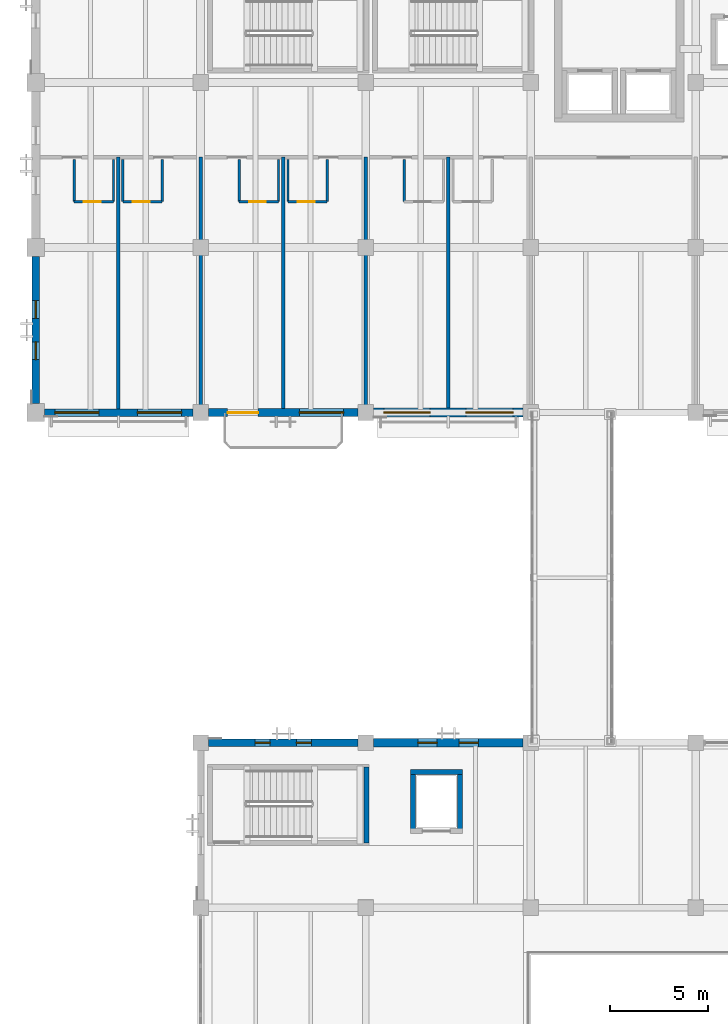
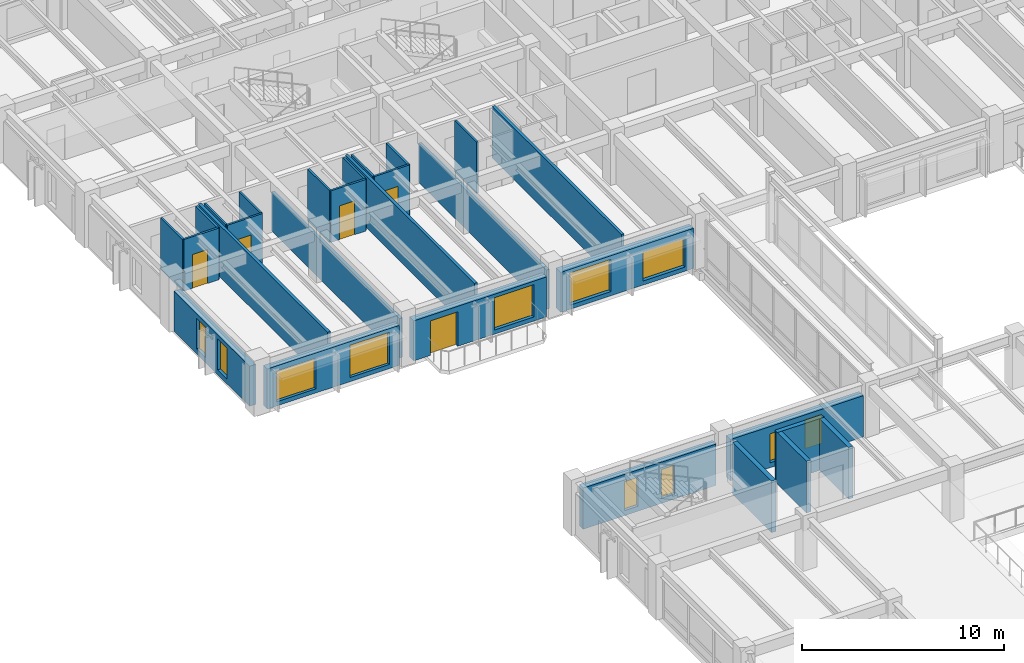
# One storey, part 83 of 123: 28 walls, 11 windows, 5 doors, 16 openings.
"""IFC4 building model written with IfcOpenShell, lengths in metres."""

from ifc_helpers import new_model, si_unit, direction, frame, frame_2d, origin, place, context, subcontext, project, spatial, rectangle, extrude, material, layer, layer_set, type_object, element, fill, save


model = new_model("IFC4")

# Units and contexts
model_context = context("Model", 3, precision=1e-05, world=origin(), true_north=direction((0.0, 1.0)))
body_context = subcontext(model_context, "Body", "Model", "MODEL_VIEW")
ifc_project = project(units=[si_unit("LENGTHUNIT", "METRE"), si_unit("AREAUNIT", "SQUARE_METRE"), si_unit("VOLUMEUNIT", "CUBIC_METRE"), si_unit("PLANEANGLEUNIT", "RADIAN"), si_unit("MASSUNIT", "GRAM", prefix="KILO")], contexts=[model_context])

# Site, building, storey
site_placement = place(None, origin())
site = spatial("IfcSite", under=ifc_project, at=site_placement, CompositionType="ELEMENT")
building_placement = place(site_placement, origin())
building = spatial("IfcBuilding", under=site, at=building_placement, Name="Cumbredor Promenade Congress Hotel", CompositionType="ELEMENT")
storey_placement = place(building_placement, frame((0.0, 0.0, 11.760009765625)))
storey = spatial("IfcBuildingStorey", under=building, at=storey_placement, Name="L03", CompositionType="ELEMENT", Elevation=11.760009765625)

# Wall, opening, door
ifc_material_1 = material(Name="Moisture-resistant gypsum board on steel studs", Category="steel")
ifc_layer_1 = layer(ifc_material_1, 0.114990234375, Name="Moisture-resistant gypsum board on steel studs", Category="steel")
ifc_layer_set_1 = layer_set([ifc_layer_1], Name="Moisture-resistant gypsum board on steel studs")
wall_type_1 = type_object("IfcWallType", Name="WL-BATH-115", PredefinedType="PARTITIONING", material=ifc_layer_set_1)
wall_1_placement = place(storey_placement, frame((1.9599609375, 94.72998046875, 0.0), z_axis=(0.0, 0.0, 1.0), x_axis=(1.0, 0.0, 0.0)))
wall_1 = element("IfcWall", 1, at=wall_1_placement, inside=storey, type_object=wall_type_1, Name="L03 Interior Partition W-L03-BH-0371", PredefinedType="PARTITIONING", context=body_context, shape_type="SweptSolid", body=[
    extrude(rectangle(XDim=2.0, YDim=0.114990234375, at=frame_2d((1.0, 0.0))), origin(), (0.0, 0.0, 1.0), 3.119873046875),
])
opening_1_placement = place(wall_1_placement, frame((0.5, 0.0, 0.0)))
opening_1 = element("IfcOpeningElement", 2, at=opening_1_placement, cuts=wall_1, Name="Opening ID-01", PredefinedType="OPENING", context=body_context, shape_type="SweptSolid", body=[
    extrude(rectangle(XDim=0.860107421875, YDim=2.050048828125, at=frame_2d((0.43017578125, 1.02490234375))), frame((0.0, 0.0673828125, 0.0), z_axis=(0.0, -1.0, 0.0), x_axis=(1.0, 0.0, 0.0)), (0.0, 0.0, 1.0), 0.135009765625),
])
ifc_material_2 = material(Name="Kiln-dried tropical hardwood", Category="wood")
door_type_1 = type_object("IfcDoorType", Name="DR-BATH-860", OperationType="NOTDEFINED", PredefinedType="DOOR", material=ifc_material_2)
door_1_placement = place(opening_1_placement, origin())
door_1 = element("IfcDoor", 3, at=door_1_placement, inside=storey, type_object=door_type_1, Name="L03 Interior Door W-L03-BH-0371-01", OperationType="SINGLE_SWING_LEFT", OverallHeight=2.050048828125, OverallWidth=0.860107421875, PredefinedType="DOOR", context=body_context, shape_type="SweptSolid", body=[
    extrude(rectangle(XDim=0.860107421875, YDim=2.050048828125, at=frame_2d((0.43017578125, 1.02490234375))), frame((0.0, 0.02490234375, 0.0), z_axis=(0.0, -1.0, 0.0), x_axis=(1.0, 0.0, 0.0)), (0.0, 0.0, 1.0), 0.050048828125),
])
fill(opening_1, door_1)

# Walls
for number, where, z_axis, x_axis, name in (
    (4, (1.9599609375, 94.72998046875, 0.0), (0.0, 0.0, 1.0), (0.0, 1.0, 0.0), "L03 Interior Partition W-L03-BV1-0371"),
    (5, (3.9599609375, 94.72998046875, 0.0), (0.0, 0.0, 1.0), (0.0, 1.0, 0.0), "L03 Interior Partition W-L03-BV2-0371"),
):
    element("IfcWall", number, at=place(storey_placement, frame(where, z_axis=z_axis, x_axis=x_axis)), inside=storey, type_object=wall_type_1, Name=name, PredefinedType="PARTITIONING", context=body_context, shape_type="SweptSolid", body=[
        extrude(rectangle(XDim=2.14990234375, YDim=0.114990234375, at=frame_2d((1.074951171875, 0.0))), origin(), (0.0, 0.0, 1.0), 3.119873046875),
    ])

# Wall, opening, door
wall_2_placement = place(storey_placement, frame((4.43994140625, 94.72998046875, 0.0), z_axis=(0.0, 0.0, 1.0), x_axis=(1.0, 0.0, 0.0)))
wall_2 = element("IfcWall", 6, at=wall_2_placement, inside=storey, type_object=wall_type_1, Name="L03 Interior Partition W-L03-BH-0372", PredefinedType="PARTITIONING", context=body_context, shape_type="SweptSolid", body=[
    extrude(rectangle(XDim=2.0, YDim=0.114990234375, at=frame_2d((1.0, 0.0))), origin(), (0.0, 0.0, 1.0), 3.119873046875),
])
opening_2_placement = place(wall_2_placement, frame((0.5, 0.0, 0.0)))
opening_2 = element("IfcOpeningElement", 7, at=opening_2_placement, cuts=wall_2, Name="Opening ID-01", PredefinedType="OPENING", context=body_context, shape_type="SweptSolid", body=[
    extrude(rectangle(XDim=0.860107421875, YDim=2.050048828125, at=frame_2d((0.43017578125, 1.02490234375))), frame((0.0, 0.0673828125, 0.0), z_axis=(0.0, -1.0, 0.0), x_axis=(1.0, 0.0, 0.0)), (0.0, 0.0, 1.0), 0.135009765625),
])
door_2_placement = place(opening_2_placement, origin())
door_2 = element("IfcDoor", 8, at=door_2_placement, inside=storey, type_object=door_type_1, Name="L03 Interior Door W-L03-BH-0372-01", OperationType="SINGLE_SWING_RIGHT", OverallHeight=2.050048828125, OverallWidth=0.860107421875, PredefinedType="DOOR", context=body_context, shape_type="SweptSolid", body=[
    extrude(rectangle(XDim=0.860107421875, YDim=2.050048828125, at=frame_2d((0.43017578125, 1.02490234375))), frame((0.0, 0.02490234375, 0.0), z_axis=(0.0, -1.0, 0.0), x_axis=(1.0, 0.0, 0.0)), (0.0, 0.0, 1.0), 0.050048828125),
])
fill(opening_2, door_2)

# Walls
for number, where, z_axis, x_axis, name in (
    (9, (4.43994140625, 94.72998046875, 0.0), (0.0, 0.0, 1.0), (0.0, 1.0, 0.0), "L03 Interior Partition W-L03-BV1-0372"),
    (10, (6.43994140625, 94.72998046875, 0.0), (0.0, 0.0, 1.0), (0.0, 1.0, 0.0), "L03 Interior Partition W-L03-BV2-0372"),
):
    element("IfcWall", number, at=place(storey_placement, frame(where, z_axis=z_axis, x_axis=x_axis)), inside=storey, type_object=wall_type_1, Name=name, PredefinedType="PARTITIONING", context=body_context, shape_type="SweptSolid", body=[
        extrude(rectangle(XDim=2.14990234375, YDim=0.114990234375, at=frame_2d((1.074951171875, 0.0))), origin(), (0.0, 0.0, 1.0), 3.119873046875),
    ])

# Wall, opening, door
wall_3_placement = place(storey_placement, frame((10.360107421875, 94.72998046875, 0.0), z_axis=(0.0, 0.0, 1.0), x_axis=(1.0, 0.0, 0.0)))
wall_3 = element("IfcWall", 11, at=wall_3_placement, inside=storey, type_object=wall_type_1, Name="L03 Interior Partition W-L03-BH-0373", PredefinedType="PARTITIONING", context=body_context, shape_type="SweptSolid", body=[
    extrude(rectangle(XDim=2.0, YDim=0.114990234375, at=frame_2d((1.0, 0.0))), origin(), (0.0, 0.0, 1.0), 3.119873046875),
])
opening_3_placement = place(wall_3_placement, frame((0.5, 0.0, 0.0)))
opening_3 = element("IfcOpeningElement", 12, at=opening_3_placement, cuts=wall_3, Name="Opening ID-01", PredefinedType="OPENING", context=body_context, shape_type="SweptSolid", body=[
    extrude(rectangle(XDim=0.860107421875, YDim=2.050048828125, at=frame_2d((0.43017578125, 1.02490234375))), frame((0.0, 0.0673828125, 0.0), z_axis=(0.0, -1.0, 0.0), x_axis=(1.0, 0.0, 0.0)), (0.0, 0.0, 1.0), 0.135009765625),
])
door_3_placement = place(opening_3_placement, origin())
door_3 = element("IfcDoor", 13, at=door_3_placement, inside=storey, type_object=door_type_1, Name="L03 Interior Door W-L03-BH-0373-01", OperationType="SINGLE_SWING_LEFT", OverallHeight=2.050048828125, OverallWidth=0.860107421875, PredefinedType="DOOR", context=body_context, shape_type="SweptSolid", body=[
    extrude(rectangle(XDim=0.860107421875, YDim=2.050048828125, at=frame_2d((0.43017578125, 1.02490234375))), frame((0.0, 0.02490234375, 0.0), z_axis=(0.0, -1.0, 0.0), x_axis=(1.0, 0.0, 0.0)), (0.0, 0.0, 1.0), 0.050048828125),
])
fill(opening_3, door_3)

# Walls
for number, where, z_axis, x_axis, name in (
    (14, (10.360107421875, 94.72998046875, 0.0), (0.0, 0.0, 1.0), (0.0, 1.0, 0.0), "L03 Interior Partition W-L03-BV1-0373"),
    (15, (12.360107421875, 94.72998046875, 0.0), (0.0, 0.0, 1.0), (0.0, 1.0, 0.0), "L03 Interior Partition W-L03-BV2-0373"),
):
    element("IfcWall", number, at=place(storey_placement, frame(where, z_axis=z_axis, x_axis=x_axis)), inside=storey, type_object=wall_type_1, Name=name, PredefinedType="PARTITIONING", context=body_context, shape_type="SweptSolid", body=[
        extrude(rectangle(XDim=2.14990234375, YDim=0.114990234375, at=frame_2d((1.074951171875, 0.0))), origin(), (0.0, 0.0, 1.0), 3.119873046875),
    ])

# Wall, opening, door
wall_4_placement = place(storey_placement, frame((12.840087890625, 94.72998046875, 0.0), z_axis=(0.0, 0.0, 1.0), x_axis=(1.0, 0.0, 0.0)))
wall_4 = element("IfcWall", 16, at=wall_4_placement, inside=storey, type_object=wall_type_1, Name="L03 Interior Partition W-L03-BH-0374", PredefinedType="PARTITIONING", context=body_context, shape_type="SweptSolid", body=[
    extrude(rectangle(XDim=2.0, YDim=0.114990234375, at=frame_2d((1.0, 0.0))), origin(), (0.0, 0.0, 1.0), 3.119873046875),
])
opening_4_placement = place(wall_4_placement, frame((0.5, 0.0, 0.0)))
opening_4 = element("IfcOpeningElement", 17, at=opening_4_placement, cuts=wall_4, Name="Opening ID-01", PredefinedType="OPENING", context=body_context, shape_type="SweptSolid", body=[
    extrude(rectangle(XDim=0.860107421875, YDim=2.050048828125, at=frame_2d((0.43017578125, 1.02490234375))), frame((0.0, 0.0673828125, 0.0), z_axis=(0.0, -1.0, 0.0), x_axis=(1.0, 0.0, 0.0)), (0.0, 0.0, 1.0), 0.135009765625),
])
door_4_placement = place(opening_4_placement, origin())
door_4 = element("IfcDoor", 18, at=door_4_placement, inside=storey, type_object=door_type_1, Name="L03 Interior Door W-L03-BH-0374-01", OperationType="SINGLE_SWING_RIGHT", OverallHeight=2.050048828125, OverallWidth=0.860107421875, PredefinedType="DOOR", context=body_context, shape_type="SweptSolid", body=[
    extrude(rectangle(XDim=0.860107421875, YDim=2.050048828125, at=frame_2d((0.43017578125, 1.02490234375))), frame((0.0, 0.02490234375, 0.0), z_axis=(0.0, -1.0, 0.0), x_axis=(1.0, 0.0, 0.0)), (0.0, 0.0, 1.0), 0.050048828125),
])
fill(opening_4, door_4)

# Walls
for number, where, z_axis, x_axis, name in (
    (19, (12.840087890625, 94.72998046875, 0.0), (0.0, 0.0, 1.0), (0.0, 1.0, 0.0), "L03 Interior Partition W-L03-BV1-0374"),
    (20, (14.840087890625, 94.72998046875, 0.0), (0.0, 0.0, 1.0), (0.0, 1.0, 0.0), "L03 Interior Partition W-L03-BV2-0374"),
    (21, (18.760009765625, 94.72998046875, 0.0), (0.0, 0.0, 1.0), (0.0, 1.0, 0.0), "L03 Interior Partition W-L03-BV1-0375"),
):
    element("IfcWall", number, at=place(storey_placement, frame(where, z_axis=z_axis, x_axis=x_axis)), inside=storey, type_object=wall_type_1, Name=name, PredefinedType="PARTITIONING", context=body_context, shape_type="SweptSolid", body=[
        extrude(rectangle(XDim=2.14990234375, YDim=0.114990234375, at=frame_2d((1.074951171875, 0.0))), origin(), (0.0, 0.0, 1.0), 3.119873046875),
    ])

# Wall, openings, windows
ifc_material_3 = material(Name="Concrete C40/50", Category="concrete")
ifc_layer_2 = layer(ifc_material_3, 0.3798828125, Name="Concrete C40/50", Category="concrete")
ifc_layer_set_2 = layer_set([ifc_layer_2], Name="Concrete C40/50")
wall_type_2 = type_object("IfcWallType", Name="WL-EXT-380", PredefinedType="SOLIDWALL", material=ifc_layer_set_2)
wall_5_placement = place(storey_placement, frame((8.801025390625, 67.199951171875, 0.0), z_axis=(0.0, 0.0, 1.0), x_axis=(1.0, 0.0, 0.0)))
wall_5 = element("IfcWall", 22, at=wall_5_placement, inside=storey, type_object=wall_type_2, Name="L03 Plenary Congress Hall North Envelope Wall 1", PredefinedType="SOLIDWALL", context=body_context, shape_type="SweptSolid", body=[
    extrude(rectangle(XDim=7.597900390625, YDim=0.3798828125, at=frame_2d((3.798828125, 0.0))), origin(), (0.0, 0.0, 1.0), 2.493896484375),
])
opening_5_placement = place(wall_5_placement, frame((2.368896484375, 0.0, 0.300048828125)))
opening_5 = element("IfcOpeningElement", 23, at=opening_5_placement, cuts=wall_5, Name="Opening WN-61", PredefinedType="OPENING", context=body_context, shape_type="SweptSolid", body=[
    extrude(rectangle(XDim=0.760009765625, YDim=1.75, at=frame_2d((0.3798828125, 0.875))), frame((0.0, 0.199951171875, 0.0), z_axis=(0.0, -1.0, 0.0), x_axis=(1.0, 0.0, 0.0)), (0.0, 0.0, 1.0), 0.39990234375),
])
opening_6_placement = place(wall_5_placement, frame((4.468994140625, 0.0, 0.300048828125)))
opening_6 = element("IfcOpeningElement", 24, at=opening_6_placement, cuts=wall_5, Name="Opening WN-61", PredefinedType="OPENING", context=body_context, shape_type="SweptSolid", body=[
    extrude(rectangle(XDim=0.760009765625, YDim=1.75, at=frame_2d((0.3798828125, 0.875))), frame((0.0, 0.199951171875, 0.0), z_axis=(0.0, -1.0, 0.0), x_axis=(1.0, 0.0, 0.0)), (0.0, 0.0, 1.0), 0.39990234375),
])
ifc_material_4 = material(Name="Thermally broken anodized aluminium and low-E glass", Category="aluminium")
window_type_1 = type_object("IfcWindowType", Name="Vertical Slot Window WN-61 760x1750", PartitioningType="SINGLE_PANEL", PredefinedType="WINDOW", material=ifc_material_4)
window_1_placement = place(opening_5_placement, origin())
window_1 = element("IfcWindow", 25, at=window_1_placement, inside=storey, type_object=window_type_1, Name="L03 Vertical Slot Window 0346", OverallHeight=1.75, OverallWidth=0.760009765625, PartitioningType="SINGLE_PANEL", PredefinedType="WINDOW", context=body_context, shape_type="SweptSolid", body=[
    extrude(rectangle(XDim=0.760009765625, YDim=1.75, at=frame_2d((0.3798828125, 0.875))), frame((0.0, 0.030029296875, 0.0), z_axis=(0.0, -1.0, 0.0), x_axis=(1.0, 0.0, 0.0)), (0.0, 0.0, 1.0), 0.06005859375),
])
fill(opening_5, window_1)
window_2_placement = place(opening_6_placement, origin())
window_2 = element("IfcWindow", 26, at=window_2_placement, inside=storey, type_object=window_type_1, Name="L03 Vertical Slot Window 0347", OverallHeight=1.75, OverallWidth=0.760009765625, PartitioningType="SINGLE_PANEL", PredefinedType="WINDOW", context=body_context, shape_type="SweptSolid", body=[
    extrude(rectangle(XDim=0.760009765625, YDim=1.75, at=frame_2d((0.3798828125, 0.875))), frame((0.0, 0.030029296875, 0.0), z_axis=(0.0, -1.0, 0.0), x_axis=(1.0, 0.0, 0.0)), (0.0, 0.0, 1.0), 0.06005859375),
])
fill(opening_6, window_2)

wall_6_placement = place(storey_placement, frame((0.450927734375, 84.0, 0.0), z_axis=(0.0, 0.0, 1.0), x_axis=(1.0, 0.0, 0.0)))
wall_6 = element("IfcWall", 27, at=wall_6_placement, inside=storey, type_object=wall_type_2, Name="L03 Stepped Congress Hotel Wing South Envelope Wall 1", PredefinedType="SOLIDWALL", context=body_context, shape_type="SweptSolid", body=[
    extrude(rectangle(XDim=7.548095703125, YDim=0.3798828125, at=frame_2d((3.77392578125, 0.0))), origin(), (0.0, 0.0, 1.0), 2.4140625),
])
opening_7_placement = place(wall_6_placement, frame((0.52392578125, 0.0, 0.25)))
opening_7 = element("IfcOpeningElement", 28, at=opening_7_placement, cuts=wall_6, Name="Opening WN-01", PredefinedType="OPENING", context=body_context, shape_type="SweptSolid", body=[
    extrude(rectangle(XDim=2.25, YDim=1.85009765625, at=frame_2d((1.125, 0.925048828125))), frame((0.0, 0.199951171875, 0.0), z_axis=(0.0, -1.0, 0.0), x_axis=(1.0, 0.0, 0.0)), (0.0, 0.0, 1.0), 0.39990234375),
])
opening_8_placement = place(wall_6_placement, frame((4.72412109375, 0.0, 0.25)))
opening_8 = element("IfcOpeningElement", 29, at=opening_8_placement, cuts=wall_6, Name="Opening WN-07", PredefinedType="OPENING", context=body_context, shape_type="SweptSolid", body=[
    extrude(rectangle(XDim=2.25, YDim=1.949951171875, at=frame_2d((1.125, 0.97509765625))), frame((0.0, 0.199951171875, 0.0), z_axis=(0.0, -1.0, 0.0), x_axis=(1.0, 0.0, 0.0)), (0.0, 0.0, 1.0), 0.39990234375),
])
window_type_2 = type_object("IfcWindowType", Name="Hospitality Floor-to-Ceiling Window WN-01 2250x1850", PartitioningType="DOUBLE_PANEL_VERTICAL", PredefinedType="WINDOW", material=ifc_material_4)
window_3_placement = place(opening_7_placement, origin())
window_3 = element("IfcWindow", 30, at=window_3_placement, inside=storey, type_object=window_type_2, Name="L03 Wide Hospitality Window 0402", OverallHeight=1.85009765625, OverallWidth=2.25, PartitioningType="DOUBLE_PANEL_VERTICAL", PredefinedType="WINDOW", context=body_context, shape_type="SweptSolid", body=[
    extrude(rectangle(XDim=2.25, YDim=1.85009765625, at=frame_2d((1.125, 0.925048828125))), frame((0.0, 0.030029296875, 0.0), z_axis=(0.0, -1.0, 0.0), x_axis=(1.0, 0.0, 0.0)), (0.0, 0.0, 1.0), 0.06005859375),
])
fill(opening_7, window_3)
window_type_3 = type_object("IfcWindowType", Name="Hospitality Floor-to-Ceiling Window WN-07 2250x1950", PartitioningType="DOUBLE_PANEL_VERTICAL", PredefinedType="WINDOW", material=ifc_material_4)
window_4_placement = place(opening_8_placement, origin())
window_4 = element("IfcWindow", 31, at=window_4_placement, inside=storey, type_object=window_type_3, Name="L03 Wide Hospitality Window 0403", OverallHeight=1.949951171875, OverallWidth=2.25, PartitioningType="DOUBLE_PANEL_VERTICAL", PredefinedType="WINDOW", context=body_context, shape_type="SweptSolid", body=[
    extrude(rectangle(XDim=2.25, YDim=1.949951171875, at=frame_2d((1.125, 0.97509765625))), frame((0.0, 0.030029296875, 0.0), z_axis=(0.0, -1.0, 0.0), x_axis=(1.0, 0.0, 0.0)), (0.0, 0.0, 1.0), 0.06005859375),
])
fill(opening_8, window_4)

wall_7_placement = place(storey_placement, frame((0.0, 84.450927734375, 0.0), z_axis=(0.0, 0.0, 1.0), x_axis=(0.0, 1.0, 0.0)))
wall_7 = element("IfcWall", 32, at=wall_7_placement, inside=storey, type_object=wall_type_2, Name="L03 Stepped Congress Hotel Wing West Envelope Wall 1", PredefinedType="SOLIDWALL", context=body_context, shape_type="SweptSolid", body=[
    extrude(rectangle(XDim=7.498046875, YDim=0.3798828125, at=frame_2d((3.7490234375, 0.0))), origin(), (0.0, 0.0, 1.0), 2.4140625),
])
opening_9_placement = place(wall_7_placement, frame((2.2490234375, 0.0, 0.300048828125)))
opening_9 = element("IfcOpeningElement", 33, at=opening_9_placement, cuts=wall_7, Name="Opening WN-48", PredefinedType="OPENING", context=body_context, shape_type="SweptSolid", body=[
    extrude(rectangle(XDim=0.89990234375, YDim=1.85009765625, at=frame_2d((0.449951171875, 0.925048828125))), frame((0.0, 0.199951171875, 0.0), z_axis=(0.0, -1.0, 0.0), x_axis=(1.0, 0.0, 0.0)), (0.0, 0.0, 1.0), 0.39990234375),
])
opening_10_placement = place(wall_7_placement, frame((4.34912109375, 0.0, 0.300048828125)))
opening_10 = element("IfcOpeningElement", 34, at=opening_10_placement, cuts=wall_7, Name="Opening WN-48", PredefinedType="OPENING", context=body_context, shape_type="SweptSolid", body=[
    extrude(rectangle(XDim=0.89990234375, YDim=1.85009765625, at=frame_2d((0.449951171875, 0.925048828125))), frame((0.0, 0.199951171875, 0.0), z_axis=(0.0, -1.0, 0.0), x_axis=(1.0, 0.0, 0.0)), (0.0, 0.0, 1.0), 0.39990234375),
])
window_type_4 = type_object("IfcWindowType", Name="Vertical Slot Window WN-48 900x1850", PartitioningType="SINGLE_PANEL", PredefinedType="WINDOW", material=ifc_material_4)
window_5_placement = place(opening_9_placement, origin())
window_5 = element("IfcWindow", 35, at=window_5_placement, inside=storey, type_object=window_type_4, Name="L03 Vertical Slot Window 0430", OverallHeight=1.85009765625, OverallWidth=0.89990234375, PartitioningType="SINGLE_PANEL", PredefinedType="WINDOW", context=body_context, shape_type="SweptSolid", body=[
    extrude(rectangle(XDim=0.89990234375, YDim=1.85009765625, at=frame_2d((0.449951171875, 0.925048828125))), frame((0.0, 0.030029296875, 0.0), z_axis=(0.0, -1.0, 0.0), x_axis=(1.0, 0.0, 0.0)), (0.0, 0.0, 1.0), 0.06005859375),
])
fill(opening_9, window_5)
window_6_placement = place(opening_10_placement, origin())
window_6 = element("IfcWindow", 36, at=window_6_placement, inside=storey, type_object=window_type_4, Name="L03 Vertical Slot Window 0431", OverallHeight=1.85009765625, OverallWidth=0.89990234375, PartitioningType="SINGLE_PANEL", PredefinedType="WINDOW", context=body_context, shape_type="SweptSolid", body=[
    extrude(rectangle(XDim=0.89990234375, YDim=1.85009765625, at=frame_2d((0.449951171875, 0.925048828125))), frame((0.0, 0.030029296875, 0.0), z_axis=(0.0, -1.0, 0.0), x_axis=(1.0, 0.0, 0.0)), (0.0, 0.0, 1.0), 0.06005859375),
])
fill(opening_10, window_6)

ifc_layer_3 = layer(ifc_material_3, 0.425048828125, Name="Concrete C40/50", Category="concrete")
ifc_layer_set_3 = layer_set([ifc_layer_3], Name="Concrete C40/50")
wall_type_3 = type_object("IfcWallType", Name="WL-EXT-425", PredefinedType="SOLIDWALL", material=ifc_layer_set_3)
wall_8_placement = place(storey_placement, frame((17.200927734375, 67.199951171875, 0.0), z_axis=(0.0, 0.0, 1.0), x_axis=(1.0, 0.0, 0.0)))
wall_8 = element("IfcWall", 37, at=wall_8_placement, inside=storey, type_object=wall_type_3, Name="L03 Plenary Congress Hall North Envelope Wall 2", PredefinedType="SOLIDWALL", context=body_context, shape_type="SweptSolid", body=[
    extrude(rectangle(XDim=7.59814453125, YDim=0.425048828125, at=frame_2d((3.799072265625, 0.0))), origin(), (0.0, 0.0, 1.0), 2.493896484375),
])
opening_11_placement = place(wall_8_placement, frame((2.259033203125, 0.0, 0.300048828125)))
opening_11 = element("IfcOpeningElement", 38, at=opening_11_placement, cuts=wall_8, Name="Opening WN-64", PredefinedType="OPENING", context=body_context, shape_type="SweptSolid", body=[
    extrude(rectangle(XDim=0.97998046875, YDim=1.75, at=frame_2d((0.489990234375, 0.875))), frame((0.0, 0.22265625, 0.0), z_axis=(0.0, -1.0, 0.0), x_axis=(1.0, 0.0, 0.0)), (0.0, 0.0, 1.0), 0.445068359375),
])
opening_12_placement = place(wall_8_placement, frame((4.35888671875, 0.0, 0.300048828125)))
opening_12 = element("IfcOpeningElement", 39, at=opening_12_placement, cuts=wall_8, Name="Opening WN-64", PredefinedType="OPENING", context=body_context, shape_type="SweptSolid", body=[
    extrude(rectangle(XDim=0.97998046875, YDim=1.75, at=frame_2d((0.489990234375, 0.875))), frame((0.0, 0.22265625, 0.0), z_axis=(0.0, -1.0, 0.0), x_axis=(1.0, 0.0, 0.0)), (0.0, 0.0, 1.0), 0.445068359375),
])
window_type_5 = type_object("IfcWindowType", Name="Vertical Slot Window WN-64 980x1750", PartitioningType="SINGLE_PANEL", PredefinedType="WINDOW", material=ifc_material_4)
window_7_placement = place(opening_11_placement, origin())
window_7 = element("IfcWindow", 40, at=window_7_placement, inside=storey, type_object=window_type_5, Name="L03 Vertical Slot Window 0348", OverallHeight=1.75, OverallWidth=0.97998046875, PartitioningType="SINGLE_PANEL", PredefinedType="WINDOW", context=body_context, shape_type="SweptSolid", body=[
    extrude(rectangle(XDim=0.97998046875, YDim=1.75, at=frame_2d((0.489990234375, 0.875))), frame((0.0, 0.030029296875, 0.0), z_axis=(0.0, -1.0, 0.0), x_axis=(1.0, 0.0, 0.0)), (0.0, 0.0, 1.0), 0.06005859375),
])
fill(opening_11, window_7)
window_8_placement = place(opening_12_placement, origin())
window_8 = element("IfcWindow", 41, at=window_8_placement, inside=storey, type_object=window_type_5, Name="L03 Vertical Slot Window 0349", OverallHeight=1.75, OverallWidth=0.97998046875, PartitioningType="SINGLE_PANEL", PredefinedType="WINDOW", context=body_context, shape_type="SweptSolid", body=[
    extrude(rectangle(XDim=0.97998046875, YDim=1.75, at=frame_2d((0.489990234375, 0.875))), frame((0.0, 0.030029296875, 0.0), z_axis=(0.0, -1.0, 0.0), x_axis=(1.0, 0.0, 0.0)), (0.0, 0.0, 1.0), 0.06005859375),
])
fill(opening_12, window_8)

# Wall, openings, door, window
wall_9_placement = place(storey_placement, frame((8.801025390625, 84.0, 0.0), z_axis=(0.0, 0.0, 1.0), x_axis=(1.0, 0.0, 0.0)))
wall_9 = element("IfcWall", 42, at=wall_9_placement, inside=storey, type_object=wall_type_3, Name="L03 Stepped Congress Hotel Wing South Envelope Wall 2", PredefinedType="SOLIDWALL", context=body_context, shape_type="SweptSolid", body=[
    extrude(rectangle(XDim=7.597900390625, YDim=0.425048828125, at=frame_2d((3.798828125, 0.0))), origin(), (0.0, 0.0, 1.0), 2.4140625),
])
opening_13_placement = place(wall_9_placement, frame((0.97412109375, 0.0, 0.0)))
opening_13 = element("IfcOpeningElement", 43, at=opening_13_placement, cuts=wall_9, Name="Opening TD-01", PredefinedType="OPENING", context=body_context, shape_type="SweptSolid", body=[
    extrude(rectangle(XDim=1.550048828125, YDim=2.080078125, at=frame_2d((0.77490234375, 1.0400390625))), frame((0.0, 0.22265625, 0.0), z_axis=(0.0, -1.0, 0.0), x_axis=(1.0, 0.0, 0.0)), (0.0, 0.0, 1.0), 0.445068359375),
])
opening_14_placement = place(wall_9_placement, frame((4.6240234375, 0.0, 0.25)))
opening_14 = element("IfcOpeningElement", 44, at=opening_14_placement, cuts=wall_9, Name="Opening WN-07", PredefinedType="OPENING", context=body_context, shape_type="SweptSolid", body=[
    extrude(rectangle(XDim=2.25, YDim=1.949951171875, at=frame_2d((1.125, 0.97509765625))), frame((0.0, 0.22265625, 0.0), z_axis=(0.0, -1.0, 0.0), x_axis=(1.0, 0.0, 0.0)), (0.0, 0.0, 1.0), 0.445068359375),
])
ifc_material_5 = material(Name="Thermally broken anodized aluminium and laminated safety glass", Category="aluminium")
door_type_2 = type_object("IfcDoorType", Name="EXT-DR-TER-1550x2080", OperationType="DOUBLE_DOOR_SINGLE_SWING", PredefinedType="DOOR", material=ifc_material_5)
door_5_placement = place(opening_13_placement, frame((1.550048828125, 0.0, 0.0), z_axis=(0.0, 0.0, 1.0), x_axis=(-1.0, 0.0, 0.0)))
door_5 = element("IfcDoor", 45, at=door_5_placement, inside=storey, type_object=door_type_2, Name="L03 Guestroom Veranda Balcony Door 042", OperationType="DOUBLE_DOOR_SINGLE_SWING", OverallHeight=2.080078125, OverallWidth=1.550048828125, PredefinedType="DOOR", context=body_context, shape_type="SweptSolid", body=[
    extrude(rectangle(XDim=1.550048828125, YDim=2.080078125, at=frame_2d((0.77490234375, 1.0400390625))), frame((0.0, 0.02490234375, 0.0), z_axis=(0.0, -1.0, 0.0), x_axis=(1.0, 0.0, 0.0)), (0.0, 0.0, 1.0), 0.050048828125),
])
fill(opening_13, door_5)
window_9_placement = place(opening_14_placement, origin())
window_9 = element("IfcWindow", 46, at=window_9_placement, inside=storey, type_object=window_type_3, Name="L03 Veranda Companion Floor-to-Ceiling Window 0404", OverallHeight=1.949951171875, OverallWidth=2.25, PartitioningType="DOUBLE_PANEL_VERTICAL", PredefinedType="WINDOW", context=body_context, shape_type="SweptSolid", body=[
    extrude(rectangle(XDim=2.25, YDim=1.949951171875, at=frame_2d((1.125, 0.97509765625))), frame((0.0, 0.030029296875, 0.0), z_axis=(0.0, -1.0, 0.0), x_axis=(1.0, 0.0, 0.0)), (0.0, 0.0, 1.0), 0.06005859375),
])
fill(opening_14, window_9)

# Wall, openings, windows
ifc_layer_4 = layer(ifc_material_3, 0.449951171875, Name="Concrete C40/50", Category="concrete")
ifc_layer_set_4 = layer_set([ifc_layer_4], Name="Concrete C40/50")
wall_type_4 = type_object("IfcWallType", Name="WL-EXT-450", PredefinedType="SOLIDWALL", material=ifc_layer_set_4)
wall_10_placement = place(storey_placement, frame((17.200927734375, 84.0, 0.0), z_axis=(0.0, 0.0, 1.0), x_axis=(1.0, 0.0, 0.0)))
wall_10 = element("IfcWall", 47, at=wall_10_placement, inside=storey, type_object=wall_type_4, Name="L03 Stepped Congress Hotel Wing South Envelope Wall 3", PredefinedType="SOLIDWALL", context=body_context, shape_type="SweptSolid", body=[
    extrude(rectangle(XDim=7.59814453125, YDim=0.449951171875, at=frame_2d((3.799072265625, 0.0))), origin(), (0.0, 0.0, 1.0), 2.4140625),
])
opening_15_placement = place(wall_10_placement, frame((0.52392578125, 0.0, 0.25)))
opening_15 = element("IfcOpeningElement", 48, at=opening_15_placement, cuts=wall_10, Name="Opening WN-08", PredefinedType="OPENING", context=body_context, shape_type="SweptSolid", body=[
    extrude(rectangle(XDim=2.35009765625, YDim=1.949951171875, at=frame_2d((1.175048828125, 0.97509765625))), frame((0.0, 0.23486328125, 0.0), z_axis=(0.0, -1.0, 0.0), x_axis=(1.0, 0.0, 0.0)), (0.0, 0.0, 1.0), 0.469970703125),
])
opening_16_placement = place(wall_10_placement, frame((4.698974609375, 0.0, 0.25)))
opening_16 = element("IfcOpeningElement", 49, at=opening_16_placement, cuts=wall_10, Name="Opening WN-26", PredefinedType="OPENING", context=body_context, shape_type="SweptSolid", body=[
    extrude(rectangle(XDim=2.39990234375, YDim=1.75, at=frame_2d((1.199951171875, 0.875))), frame((0.0, 0.23486328125, 0.0), z_axis=(0.0, -1.0, 0.0), x_axis=(1.0, 0.0, 0.0)), (0.0, 0.0, 1.0), 0.469970703125),
])
window_type_6 = type_object("IfcWindowType", Name="Hospitality Floor-to-Ceiling Window WN-08 2350x1950", PartitioningType="DOUBLE_PANEL_VERTICAL", PredefinedType="WINDOW", material=ifc_material_4)
window_10_placement = place(opening_15_placement, origin())
window_10 = element("IfcWindow", 50, at=window_10_placement, inside=storey, type_object=window_type_6, Name="L03 Wide Hospitality Window 0405", OverallHeight=1.949951171875, OverallWidth=2.35009765625, PartitioningType="DOUBLE_PANEL_VERTICAL", PredefinedType="WINDOW", context=body_context, shape_type="SweptSolid", body=[
    extrude(rectangle(XDim=2.35009765625, YDim=1.949951171875, at=frame_2d((1.175048828125, 0.97509765625))), frame((0.0, 0.030029296875, 0.0), z_axis=(0.0, -1.0, 0.0), x_axis=(1.0, 0.0, 0.0)), (0.0, 0.0, 1.0), 0.06005859375),
])
fill(opening_15, window_10)
window_type_7 = type_object("IfcWindowType", Name="Hospitality Floor-to-Ceiling Window WN-26 2400x1750", PartitioningType="DOUBLE_PANEL_VERTICAL", PredefinedType="WINDOW", material=ifc_material_4)
window_11_placement = place(opening_16_placement, origin())
window_11 = element("IfcWindow", 51, at=window_11_placement, inside=storey, type_object=window_type_7, Name="L03 Wide Hospitality Window 0406", OverallHeight=1.75, OverallWidth=2.39990234375, PartitioningType="DOUBLE_PANEL_VERTICAL", PredefinedType="WINDOW", context=body_context, shape_type="SweptSolid", body=[
    extrude(rectangle(XDim=2.39990234375, YDim=1.75, at=frame_2d((1.199951171875, 0.875))), frame((0.0, 0.030029296875, 0.0), z_axis=(0.0, -1.0, 0.0), x_axis=(1.0, 0.0, 0.0)), (0.0, 0.0, 1.0), 0.06005859375),
])
fill(opening_16, window_11)

# Walls
ifc_layer_5 = layer(ifc_material_3, 0.2548828125, Name="Concrete C40/50", Category="concrete")
ifc_layer_set_5 = layer_set([ifc_layer_5], Name="Concrete C40/50")
wall_type_5 = type_object("IfcWallType", Name="WL-SHAFT-250", PredefinedType="SOLIDWALL", material=ifc_layer_set_5)
wall_11_placement = place(storey_placement, frame((16.85009765625, 62.10009765625, 0.0), z_axis=(0.0, 0.0, 1.0), x_axis=(0.0, 1.0, 0.0)))
element("IfcWall", 52, at=wall_11_placement, inside=storey, type_object=wall_type_5, Name="STAIR-ST-06-L03 Shaft Wall East", PredefinedType="SOLIDWALL", context=body_context, shape_type="SweptSolid", body=[
    extrude(rectangle(XDim=3.849853515625, YDim=0.2548828125, at=frame_2d((1.9248046875, 0.0))), origin(), (0.0, 0.0, 1.0), 3.119873046875),
])
wall_12_placement = place(storey_placement, frame((19.072509765625, 65.699951171875, 0.0), z_axis=(0.0, 0.0, 1.0), x_axis=(1.0, 0.0, 0.0)))
element("IfcWall", 53, at=wall_12_placement, inside=storey, type_object=wall_type_5, Name="SHAFT-SV-01-L03 Shaft Wall North", PredefinedType="SOLIDWALL", context=body_context, shape_type="SweptSolid", body=[
    extrude(rectangle(XDim=2.655029296875, YDim=0.2548828125, at=frame_2d((1.32763671875, 0.0))), origin(), (0.0, 0.0, 1.0), 3.119873046875),
])
for number, where, z_axis, x_axis, name in (
    (54, (19.199951171875, 62.699951171875, 0.0), (0.0, 0.0, 1.0), (0.0, 1.0, 0.0), "SHAFT-SV-01-L03 Shaft Wall West"),
    (55, (21.60009765625, 62.699951171875, 0.0), (0.0, 0.0, 1.0), (0.0, 1.0, 0.0), "SHAFT-SV-01-L03 Shaft Wall East"),
):
    element("IfcWall", number, at=place(storey_placement, frame(where, z_axis=z_axis, x_axis=x_axis)), inside=storey, type_object=wall_type_5, Name=name, PredefinedType="SOLIDWALL", context=body_context, shape_type="SweptSolid", body=[
        extrude(rectangle(XDim=3.0, YDim=0.2548828125, at=frame_2d((1.5, 0.0))), origin(), (0.0, 0.0, 1.0), 3.119873046875),
    ])
ifc_material_6 = material(Name="Fire-rated acoustic double-stud partition")
ifc_layer_6 = layer(ifc_material_6, 0.1650390625, Name="Fire-rated acoustic double-stud partition")
ifc_layer_set_6 = layer_set([ifc_layer_6], Name="Fire-rated acoustic double-stud partition")
wall_type_6 = type_object("IfcWallType", Name="WL-UNIT-165", PredefinedType="PARTITIONING", material=ifc_layer_set_6)
wall_13_placement = place(storey_placement, frame((4.199951171875, 84.18994140625, 0.0), z_axis=(0.0, 0.0, 1.0), x_axis=(0.0, 1.0, 0.0)))
element("IfcWall", 56, at=wall_13_placement, inside=storey, type_object=wall_type_6, Name="L03 Interior Partition W-L03-SC-DIV-0-M", PredefinedType="PARTITIONING", context=body_context, shape_type="SweptSolid", body=[
    extrude(rectangle(XDim=12.81005859375, YDim=0.1650390625, at=frame_2d((6.405029296875, 0.0))), origin(), (0.0, 0.0, 1.0), 3.119873046875),
])
wall_14_placement = place(storey_placement, frame((12.60009765625, 84.21240234375, 0.0), z_axis=(0.0, 0.0, 1.0), x_axis=(0.0, 1.0, 0.0)))
element("IfcWall", 57, at=wall_14_placement, inside=storey, type_object=wall_type_6, Name="L03 Interior Partition W-L03-SC-DIV-1-M", PredefinedType="PARTITIONING", context=body_context, shape_type="SweptSolid", body=[
    extrude(rectangle(XDim=12.78759765625, YDim=0.1650390625, at=frame_2d((6.393798828125, 0.0))), origin(), (0.0, 0.0, 1.0), 3.119873046875),
])
wall_15_placement = place(storey_placement, frame((8.39990234375, 84.35009765625, 0.0), z_axis=(0.0, 0.0, 1.0), x_axis=(0.0, 1.0, 0.0)))
element("IfcWall", 58, at=wall_15_placement, inside=storey, type_object=wall_type_6, Name="L03 Interior Partition W-L03-SC-DIV-1-G", PredefinedType="PARTITIONING", context=body_context, shape_type="SweptSolid", body=[
    extrude(rectangle(XDim=12.64990234375, YDim=0.1650390625, at=frame_2d((6.324951171875, 0.0))), origin(), (0.0, 0.0, 1.0), 2.375),
])
wall_16_placement = place(storey_placement, frame((21.0, 84.22509765625, 0.0), z_axis=(0.0, 0.0, 1.0), x_axis=(0.0, 1.0, 0.0)))
element("IfcWall", 59, at=wall_16_placement, inside=storey, type_object=wall_type_6, Name="L03 Interior Partition W-L03-SC-DIV-2-M", PredefinedType="PARTITIONING", context=body_context, shape_type="SweptSolid", body=[
    extrude(rectangle(XDim=12.77490234375, YDim=0.1650390625, at=frame_2d((6.387451171875, 0.0))), origin(), (0.0, 0.0, 1.0), 3.119873046875),
])
wall_17_placement = place(storey_placement, frame((16.800048828125, 84.35009765625, 0.0), z_axis=(0.0, 0.0, 1.0), x_axis=(0.0, 1.0, 0.0)))
element("IfcWall", 60, at=wall_17_placement, inside=storey, type_object=wall_type_6, Name="L03 Interior Partition W-L03-SC-DIV-2-G", PredefinedType="PARTITIONING", context=body_context, shape_type="SweptSolid", body=[
    extrude(rectangle(XDim=12.64990234375, YDim=0.1650390625, at=frame_2d((6.324951171875, 0.0))), origin(), (0.0, 0.0, 1.0), 2.375),
])

save(model, "model.ifc")
